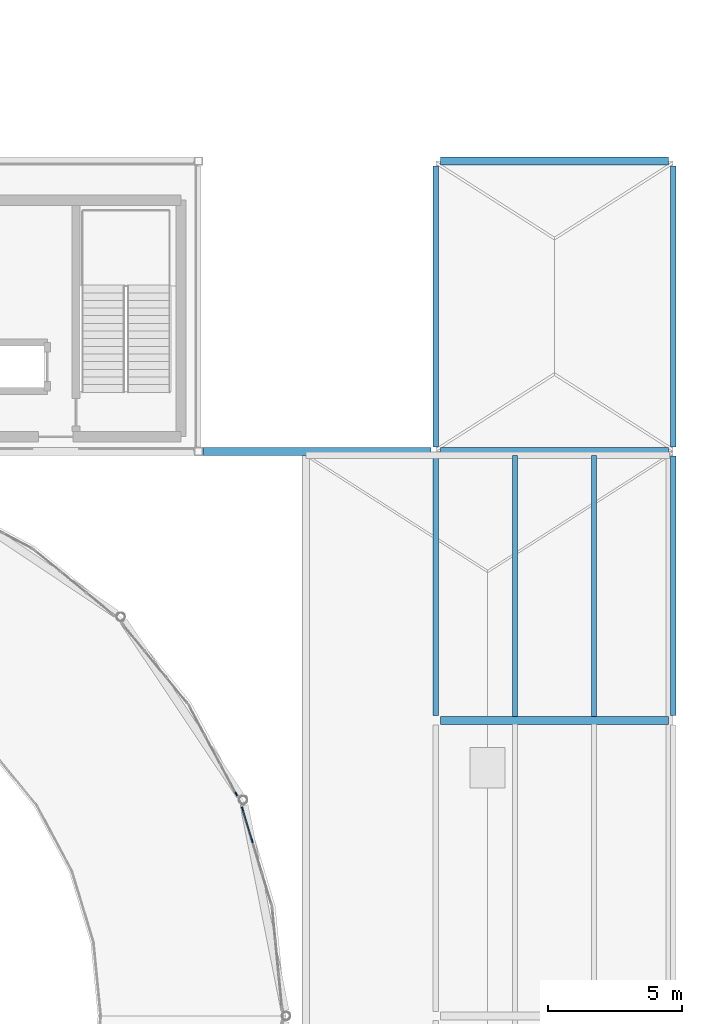
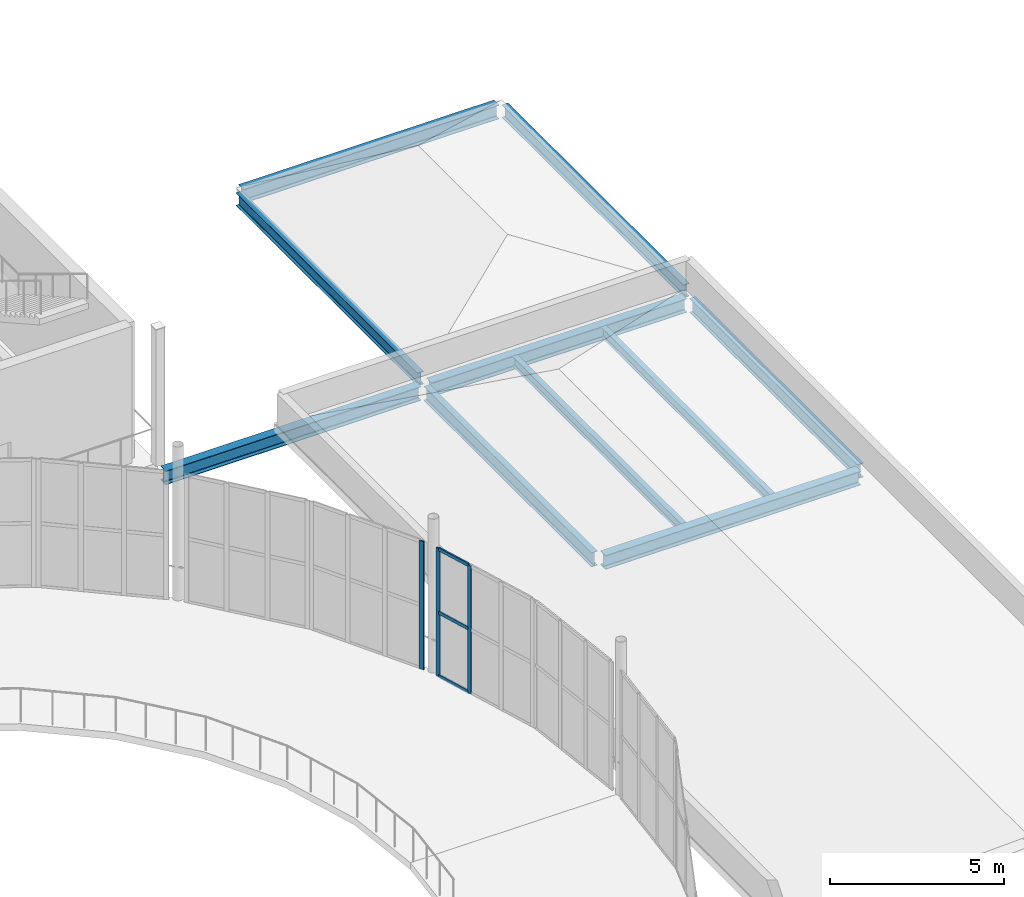
# One storey, part 70 of 112: 10 beams, 6 members, 2 elements without a shape of their own.
"""IFC4 building model written with IfcOpenShell, lengths in metres."""

from ifc_helpers import new_model, si_unit, direction, frame, origin, origin_2d, place, context, subcontext, project, spatial, rectangle, i_section, extrude, material, layer, layer_set, material_profile, profile_set, type_object, element, aggregate, save


model = new_model("IFC4")

# Units and contexts
model_context = context("Model", 3, precision=1e-05, world=origin(), true_north=direction((0.0, 1.0)))
body_context = subcontext(model_context, "Body", "Model", "MODEL_VIEW")
ifc_project = project(units=[si_unit("LENGTHUNIT", "METRE"), si_unit("AREAUNIT", "SQUARE_METRE"), si_unit("VOLUMEUNIT", "CUBIC_METRE"), si_unit("PLANEANGLEUNIT", "RADIAN"), si_unit("MASSUNIT", "GRAM", prefix="KILO")], contexts=[model_context])

# Site, building, storey
site_placement = place(None, origin())
site = spatial("IfcSite", under=ifc_project, at=site_placement, CompositionType="ELEMENT")
building_placement = place(site_placement, origin())
building = spatial("IfcBuilding", under=site, at=building_placement, Name="Yeouljin Market Hall", CompositionType="ELEMENT")
storey_placement = place(building_placement, frame((0.0, 0.0, 6.0)))
storey = spatial("IfcBuildingStorey", under=building, at=storey_placement, Name="L01", CompositionType="ELEMENT", Elevation=6.0)

# Beams
ifc_material_1 = material(Name="Steel SM355", Category="steel")
ifc_material_profile_1 = material_profile(ifc_material_1, i_section(OverallWidth=0.199951171875, OverallDepth=0.449951171875, WebThickness=0.009033203125, FlangeThickness=0.013916015625, FilletRadius=0.01806640625, at=origin_2d()), Name="H-450x200x9x14")
ifc_profile_set_1 = profile_set([ifc_material_profile_1], Name="Steel SM355")
beam_type_1 = type_object("IfcBeamType", Name="Beam_H-450x200x9x14", PredefinedType="BEAM", material=ifc_profile_set_1)
for number, where, z_axis, x_axis, name in (
    (1, (167.570068359375, 78.175048828125, -0.2451171875), (0.0, 1.0, 0.0), (-1.0, 0.0, 0.0), "Service apron canopy beam BM-ENDCAN-Y07"),
    (2, (176.39990234375, 78.175048828125, -0.2451171875), (0.0, 1.0, 0.0), (-1.0, 0.0, 0.0), "Service apron canopy beam BM-ENDCAN-Y08"),
):
    element("IfcBeam", number, at=place(storey_placement, frame(where, z_axis=z_axis, x_axis=x_axis)), inside=storey, type_object=beam_type_1, Name=name, PredefinedType="BEAM", context=body_context, shape_type="SweptSolid", body=[
        extrude(i_section(OverallWidth=0.199951171875, OverallDepth=0.449951171875, WebThickness=0.009033203125, FlangeThickness=0.013916015625, FilletRadius=0.01806640625, at=origin_2d()), origin(), (0.0, 0.0, 1.0), 10.449951171875),
    ])
ifc_material_2 = material(Name="Steel SM355", Category="steel")
ifc_material_profile_2 = material_profile(ifc_material_2, i_section(OverallWidth=0.199951171875, OverallDepth=0.5, WebThickness=0.010009765625, FlangeThickness=0.01611328125, FilletRadius=0.02001953125, at=origin_2d()), Name="H-500x200x10x16")
ifc_profile_set_2 = profile_set([ifc_material_profile_2], Name="Steel SM355")
beam_type_2 = type_object("IfcBeamType", Name="Beam_H-500x200x10x16", PredefinedType="BEAM", material=ifc_profile_set_2)
for number, where, z_axis, x_axis, name in (
    (3, (167.570068359375, 68.175048828125, -0.514892578125), (0.0, 1.0, 0.0), (-1.0, 0.0, 0.0), "Primary beam BM-L01-Y233"),
    (4, (176.39990234375, 68.175048828125, -0.514892578125), (0.0, 1.0, 0.0), (-1.0, 0.0, 0.0), "Primary beam BM-L01-Y241"),
):
    element("IfcBeam", number, at=place(storey_placement, frame(where, z_axis=z_axis, x_axis=x_axis)), inside=storey, type_object=beam_type_2, Name=name, PredefinedType="BEAM", context=body_context, shape_type="SweptSolid", body=[
        extrude(i_section(OverallWidth=0.199951171875, OverallDepth=0.5, WebThickness=0.010009765625, FlangeThickness=0.01611328125, FilletRadius=0.02001953125, at=origin_2d()), origin(), (0.0, 0.0, 1.0), 9.64990234375),
    ])

# Curtain wall, members
ifc_material_3 = material(Name="Thermally Broken Aluminium", Category="aluminium")
ifc_layer = layer(ifc_material_3, 0.179931640625)
ifc_layer_set = layer_set([ifc_layer], Name="Thermally Broken Aluminium")
curtain_wall_type = type_object("IfcCurtainWallType", Name="CW_ApseCurved_System", PredefinedType="USERDEFINED", material=ifc_layer_set)
curtain_wall_1_placement = place(storey_placement, origin())
curtain_wall_1 = element("IfcCurtainWall", 5, at=curtain_wall_1_placement, inside=storey, type_object=curtain_wall_type, Name="Curtain wall CW-AP-EL01-10", ObjectType="CURTAIN WALL", PredefinedType="USERDEFINED")
ifc_material_4 = material(Name="Thermally Broken Aluminium", Category="aluminium")
ifc_material_profile_3 = material_profile(ifc_material_4, rectangle(XDim=0.048095703125, YDim=0.14990234375, at=origin_2d()), Name="CW-MULL-48x150")
ifc_profile_set_3 = profile_set([ifc_material_profile_3], Name="Thermally Broken Aluminium")
member_type_1 = type_object("IfcMemberType", Name="CWMullion_48x150", PredefinedType="MULLION", material=ifc_profile_set_3)
member_1_placement = place(storey_placement, frame((160.37890625, 64.699462890625, 0.0), z_axis=(0.0, 0.0, 1.0), x_axis=(0.95693988447, 0.290286164863, 0.0)))
member_1 = element("IfcMember", 6, at=member_1_placement, type_object=member_type_1, Name="CW-03 mullion 1", PredefinedType="MULLION", context=body_context, shape_type="SweptSolid", body=[
    extrude(rectangle(XDim=0.048095703125, YDim=0.14990234375, at=origin_2d()), origin(), (0.0, 0.0, 1.0), 4.5),
])
member_2_placement = place(storey_placement, frame((160.737060546875, 63.51904296875, 0.0), z_axis=(0.0, 0.0, 1.0), x_axis=(0.95693988447, 0.290286164863, 0.0)))
member_2 = element("IfcMember", 7, at=member_2_placement, type_object=member_type_1, Name="CW-03 mullion 2", PredefinedType="MULLION", context=body_context, shape_type="SweptSolid", body=[
    extrude(rectangle(XDim=0.048095703125, YDim=0.14990234375, at=origin_2d()), origin(), (0.0, 0.0, 1.0), 4.5),
])

# Curtain wall, member
curtain_wall_2_placement = place(storey_placement, origin())
curtain_wall_2 = element("IfcCurtainWall", 8, at=curtain_wall_2_placement, inside=storey, type_object=curtain_wall_type, Name="Curtain wall CW-AP-EL01-11", ObjectType="CURTAIN WALL", PredefinedType="USERDEFINED")
member_3_placement = place(storey_placement, frame((160.147216796875, 65.258544921875, 0.0), z_axis=(0.0, 0.0, 1.0), x_axis=(0.881931478712, 0.471377626598, 0.0)))
member_3 = element("IfcMember", 9, at=member_3_placement, type_object=member_type_1, Name="CW-03 mullion 4", PredefinedType="MULLION", context=body_context, shape_type="SweptSolid", body=[
    extrude(rectangle(XDim=0.048095703125, YDim=0.14990234375, at=origin_2d()), origin(), (0.0, 0.0, 1.0), 4.5),
])
aggregate(curtain_wall_2, [member_3])

# Member
ifc_material_5 = material(Name="Thermally Broken Aluminium", Category="aluminium")
ifc_material_profile_4 = material_profile(ifc_material_5, rectangle(XDim=0.048095703125, YDim=0.1201171875, at=origin_2d()), Name="CW-TRAN-48x120")
ifc_profile_set_4 = profile_set([ifc_material_profile_4], Name="Thermally Broken Aluminium")
member_type_2 = type_object("IfcMemberType", Name="CWTransom_48x120", PredefinedType="USERDEFINED", material=ifc_profile_set_4)
member_4_placement = place(storey_placement, frame((160.3857421875, 64.676513671875, 0.02392578125), z_axis=(0.290350291671, -0.95692042936, 0.0), x_axis=(0.95692042936, 0.290350291671, 0.0)))
member_4 = element("IfcMember", 10, at=member_4_placement, type_object=member_type_2, Name="CW-03 transom 1.1", ObjectType="TRANSOM", PredefinedType="USERDEFINED", context=body_context, shape_type="SweptSolid", body=[
    extrude(rectangle(XDim=0.048095703125, YDim=0.1201171875, at=origin_2d()), origin(), (0.0, 0.0, 1.0), 1.185546875),
])

member_5_placement = place(storey_placement, frame((160.3857421875, 64.676513671875, 2.25), z_axis=(0.290350291671, -0.95692042936, 0.0), x_axis=(0.95692042936, 0.290350291671, 0.0)))
member_5 = element("IfcMember", 11, at=member_5_placement, type_object=member_type_2, Name="CW-03 transom 1.2", ObjectType="TRANSOM", PredefinedType="USERDEFINED", context=body_context, shape_type="SweptSolid", body=[
    extrude(rectangle(XDim=0.048095703125, YDim=0.1201171875, at=origin_2d()), origin(), (0.0, 0.0, 1.0), 1.185546875),
])

member_6_placement = place(storey_placement, frame((160.3857421875, 64.676513671875, 4.47607421875), z_axis=(0.290350291671, -0.95692042936, 0.0), x_axis=(0.95692042936, 0.290350291671, 0.0)))
member_6 = element("IfcMember", 12, at=member_6_placement, type_object=member_type_2, Name="CW-03 transom 1.3", ObjectType="TRANSOM", PredefinedType="USERDEFINED", context=body_context, shape_type="SweptSolid", body=[
    extrude(rectangle(XDim=0.048095703125, YDim=0.1201171875, at=origin_2d()), origin(), (0.0, 0.0, 1.0), 1.185546875),
])

aggregate(curtain_wall_1, [member_1, member_2, member_4, member_5, member_6])

# Beams
ifc_material_6 = material(Name="Steel SM355", Category="steel")
ifc_material_profile_5 = material_profile(ifc_material_6, i_section(OverallWidth=0.300048828125, OverallDepth=0.488037109375, WebThickness=0.010986328125, FlangeThickness=0.01806640625, FilletRadius=0.02197265625, at=origin_2d()), Name="H-488x300x11x18")
ifc_profile_set_5 = profile_set([ifc_material_profile_5], Name="Steel SM355")
beam_type_3 = type_object("IfcBeamType", Name="Girder_H-488x300x11x18", PredefinedType="USERDEFINED", material=ifc_profile_set_5)
for number, where, z_axis, x_axis, name in (
    (13, (167.7451171875, 68.0, -0.509033203125), (1.0, 0.0, 0.0), (0.0, 1.0, 0.0), "Primary girder GRD-L01-X078"),
    (14, (158.9150390625, 78.0, -0.509033203125), (1.0, 0.0, 0.0), (0.0, 1.0, 0.0), "Primary girder GRD-L01-X093"),
    (15, (167.7451171875, 78.0, -0.509033203125), (1.0, 0.0, 0.0), (0.0, 1.0, 0.0), "Primary girder GRD-L01-X094"),
    (16, (167.7451171875, 88.800048828125, -0.263916015625), (1.0, 0.0, 0.0), (0.0, 1.0, 0.0), "Service apron canopy girder GRD-ENDCAN-X03"),
):
    element("IfcBeam", number, at=place(storey_placement, frame(where, z_axis=z_axis, x_axis=x_axis)), inside=storey, type_object=beam_type_3, Name=name, ObjectType="GIRDER", PredefinedType="USERDEFINED", context=body_context, shape_type="SweptSolid", body=[
        extrude(i_section(OverallWidth=0.300048828125, OverallDepth=0.488037109375, WebThickness=0.010986328125, FlangeThickness=0.01806640625, FilletRadius=0.02197265625, at=origin_2d()), origin(), (0.0, 0.0, 1.0), 8.47998046875),
    ])
ifc_material_7 = material(Name="Steel SM355", Category="steel")
ifc_material_profile_6 = material_profile(ifc_material_7, i_section(OverallWidth=0.175048828125, OverallDepth=0.35009765625, WebThickness=0.007080078125, FlangeThickness=0.010986328125, FilletRadius=0.013916015625, at=origin_2d()), Name="H-350x175x7x11")
ifc_profile_set_6 = profile_set([ifc_material_profile_6], Name="Steel SM355")
beam_type_4 = type_object("IfcBeamType", Name="Joist_H-350x175x7x11", PredefinedType="JOIST", material=ifc_profile_set_6)
for number, where, z_axis, x_axis, name in (
    (17, (170.51318359375, 68.14697265625, -0.43994140625), (0.0, 1.0, 0.0), (-1.0, 0.0, 0.0), "Secondary floor joist L01-131"),
    (18, (173.456787109375, 68.14697265625, -0.43994140625), (0.0, 1.0, 0.0), (-1.0, 0.0, 0.0), "Secondary floor joist L01-132"),
):
    element("IfcBeam", number, at=place(storey_placement, frame(where, z_axis=z_axis, x_axis=x_axis)), inside=storey, type_object=beam_type_4, Name=name, PredefinedType="JOIST", context=body_context, shape_type="SweptSolid", body=[
        extrude(i_section(OverallWidth=0.175048828125, OverallDepth=0.35009765625, WebThickness=0.007080078125, FlangeThickness=0.010986328125, FilletRadius=0.013916015625, at=origin_2d()), origin(), (0.0, 0.0, 1.0), 9.7060546875),
    ])

save(model, "model.ifc")
